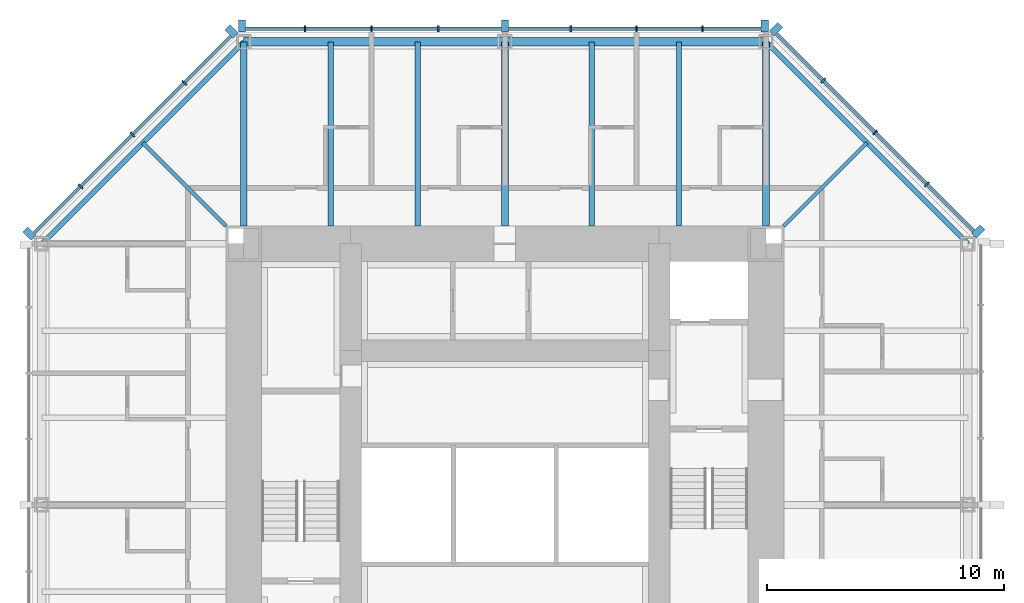
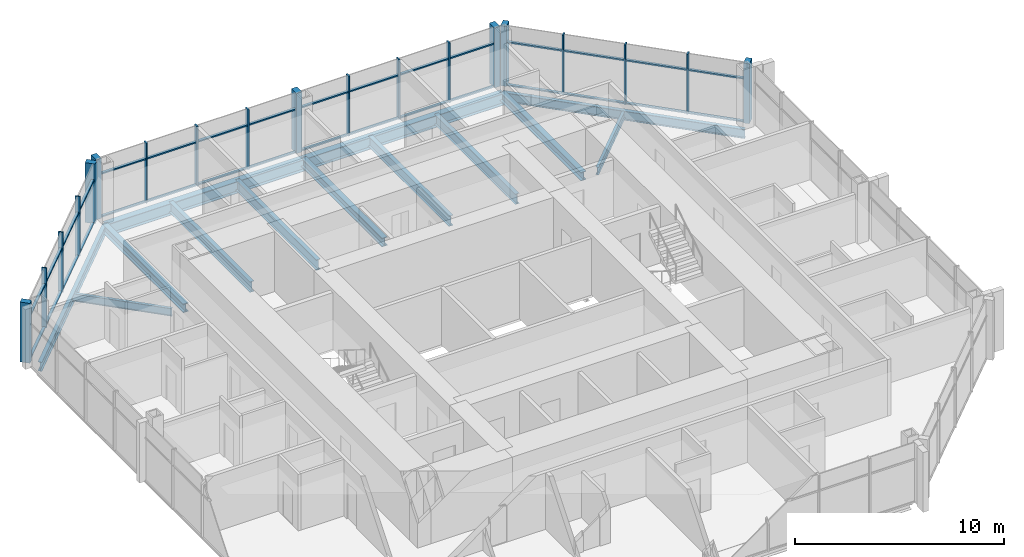
# One storey, part 5 of 12: 51 members, 13 beams, 3 elements without a shape of their own.
"""IFC4 building model written with IfcOpenShell, lengths in metres."""

from ifc_helpers import new_model, si_unit, direction, frame, origin, origin_2d, place, context, subcontext, project, spatial, rectangle, i_section, extrude, material, material_profile, profile_set, type_object, element, aggregate, save


model = new_model("IFC4")

# Units and contexts
model_context = context("Model", 3, precision=1e-05, world=origin(), true_north=direction((0.0, 1.0)))
body_context = subcontext(model_context, "Body", "Model", "MODEL_VIEW")
ifc_project = project(units=[si_unit("LENGTHUNIT", "METRE"), si_unit("AREAUNIT", "SQUARE_METRE"), si_unit("VOLUMEUNIT", "CUBIC_METRE"), si_unit("PLANEANGLEUNIT", "RADIAN"), si_unit("MASSUNIT", "GRAM", prefix="KILO")], contexts=[model_context])

# Site, building, storey
site_placement = place(None, origin())
site = spatial("IfcSite", under=ifc_project, at=site_placement, CompositionType="ELEMENT")
building_placement = place(site_placement, origin())
building = spatial("IfcBuilding", under=site, at=building_placement, Name="Trevanion Tower", CompositionType="ELEMENT")
storey_placement = place(building_placement, frame((0.0, 0.0, 194.199951171875)))
storey = spatial("IfcBuildingStorey", under=building, at=storey_placement, Name="L45", CompositionType="ELEMENT", Elevation=194.199951171875)

# Beams
ifc_material_1 = material(Name="Steel ASTM A992 Grade 50", Category="steel")
ifc_material_profile_1 = material_profile(ifc_material_1, i_section(OverallWidth=0.228271484375, OverallDepth=0.607177734375, WebThickness=0.01123046875, FlangeThickness=0.017333984375, at=origin_2d()), Name="W24X76")
ifc_profile_set_1 = profile_set([ifc_material_profile_1], Name="Steel ASTM A992 Grade 50")
beam_type_1 = type_object("IfcBeamType", Name="B11 W24X76", PredefinedType="BEAM", material=ifc_profile_set_1)
for number, where, z_axis, x_axis, name in (
    (1, (7.333251953125, 11.75, -0.493408203125), (0.0, 1.0, 0.0), (-1.0, 0.0, 0.0), "B11 L45"),
    (2, (3.666748046875, 11.75, -0.493408203125), (0.0, 1.0, 0.0), (-1.0, 0.0, 0.0), "B11 L45"),
    (3, (-3.666748046875, 11.75, -0.493408203125), (0.0, 1.0, 0.0), (-1.0, 0.0, 0.0), "B11 L45"),
    (4, (-7.333251953125, 11.75, -0.493408203125), (0.0, 1.0, 0.0), (-1.0, 0.0, 0.0), "B11 L45"),
):
    element("IfcBeam", number, at=place(storey_placement, frame(where, z_axis=z_axis, x_axis=x_axis)), inside=storey, type_object=beam_type_1, Name=name, PredefinedType="BEAM", context=body_context, shape_type="SweptSolid", body=[
        extrude(i_section(OverallWidth=0.228271484375, OverallDepth=0.607177734375, WebThickness=0.01123046875, FlangeThickness=0.017333984375, at=origin_2d()), origin(), (0.0, 0.0, 1.0), 7.75),
    ])
ifc_material_2 = material(Name="Steel ASTM A992 Grade 50", Category="steel")
ifc_material_profile_2 = material_profile(ifc_material_2, i_section(OverallWidth=0.15234375, OverallDepth=0.449462890625, WebThickness=0.007568359375, FlangeThickness=0.0107421875, at=origin_2d()), Name="W18X35")
ifc_profile_set_2 = profile_set([ifc_material_profile_2], Name="Steel ASTM A992 Grade 50")
beam_type_2 = type_object("IfcBeamType", Name="B12 W18X35", PredefinedType="BEAM", material=ifc_profile_set_2)
for number, where, z_axis, x_axis, name in (
    (5, (11.75, 11.75, -0.414794921875), (0.707106781187, 0.707106781187, 0.0), (-0.707106781187, 0.707106781187, 0.0), "B12 L45"),
    (6, (-11.75, 11.75, -0.414794921875), (-0.707106781187, 0.707106781187, 0.0), (-0.707106781187, -0.707106781187, 0.0), "B12 L45"),
):
    element("IfcBeam", number, at=place(storey_placement, frame(where, z_axis=z_axis, x_axis=x_axis)), inside=storey, type_object=beam_type_2, Name=name, PredefinedType="BEAM", context=body_context, shape_type="SweptSolid", body=[
        extrude(i_section(OverallWidth=0.15234375, OverallDepth=0.449462890625, WebThickness=0.007568359375, FlangeThickness=0.0107421875, at=origin_2d()), origin(), (0.0, 0.0, 1.0), 4.94970703125),
    ])

# Curtain wall, members
ifc_material_3 = material(Name="Aluminium and glass", Category="aluminium")
curtain_wall_type = type_object("IfcCurtainWallType", Name="CW3 curtain wall", PredefinedType="USERDEFINED", material=ifc_material_3)
curtain_wall_1_placement = place(storey_placement, origin())
curtain_wall_1 = element("IfcCurtainWall", 7, at=curtain_wall_1_placement, inside=storey, type_object=curtain_wall_type, Name="CW3 L45 1", ObjectType="UNITISED CURTAIN WALL", PredefinedType="USERDEFINED")
ifc_material_4 = material(Name="Aluminium extrusion, anodised bronze", Category="aluminium")
ifc_material_profile_3 = material_profile(ifc_material_4, rectangle(XDim=0.074951171875, YDim=0.25, at=origin_2d()), Name="CW3 mullion")
ifc_profile_set_3 = profile_set([ifc_material_profile_3], Name="Aluminium extrusion, anodised bronze")
member_type_1 = type_object("IfcMemberType", Name="CW3 mullion", PredefinedType="MULLION", material=ifc_profile_set_3)
member_1_placement = place(storey_placement, frame((17.775390625, 13.502197265625, -0.18994140625), z_axis=(0.0, 0.0, 1.0), x_axis=(-0.707106781187, 0.707106781187, 0.0)))
member_1 = element("IfcMember", 8, at=member_1_placement, type_object=member_type_1, Name="CW3 mullion 2", PredefinedType="MULLION", context=body_context, shape_type="SweptSolid", body=[
    extrude(rectangle(XDim=0.074951171875, YDim=0.25, at=origin_2d()), origin(), (0.0, 0.0, 1.0), 3.5),
])
member_2_placement = place(storey_placement, frame((15.593017578125, 15.684814453125, -0.18994140625), z_axis=(0.0, 0.0, 1.0), x_axis=(-0.707106781187, 0.707106781187, 0.0)))
member_2 = element("IfcMember", 9, at=member_2_placement, type_object=member_type_1, Name="CW3 mullion 3", PredefinedType="MULLION", context=body_context, shape_type="SweptSolid", body=[
    extrude(rectangle(XDim=0.074951171875, YDim=0.25, at=origin_2d()), origin(), (0.0, 0.0, 1.0), 3.5),
])
member_3_placement = place(storey_placement, frame((13.410400390625, 17.867431640625, -0.18994140625), z_axis=(0.0, 0.0, 1.0), x_axis=(-0.707106781187, 0.707106781187, 0.0)))
member_3 = element("IfcMember", 10, at=member_3_placement, type_object=member_type_1, Name="CW3 mullion 4", PredefinedType="MULLION", context=body_context, shape_type="SweptSolid", body=[
    extrude(rectangle(XDim=0.074951171875, YDim=0.25, at=origin_2d()), origin(), (0.0, 0.0, 1.0), 3.5),
])

curtain_wall_2_placement = place(storey_placement, origin())
curtain_wall_2 = element("IfcCurtainWall", 11, at=curtain_wall_2_placement, inside=storey, type_object=curtain_wall_type, Name="CW3 L45 2", ObjectType="UNITISED CURTAIN WALL", PredefinedType="USERDEFINED")
member_4_placement = place(storey_placement, frame((8.323486328125, 20.050048828125, -0.18994140625), z_axis=(0.0, 0.0, 1.0), x_axis=(-1.0, 0.0, 0.0)))
member_4 = element("IfcMember", 12, at=member_4_placement, type_object=member_type_1, Name="CW3 mullion 2", PredefinedType="MULLION", context=body_context, shape_type="SweptSolid", body=[
    extrude(rectangle(XDim=0.074951171875, YDim=0.25, at=origin_2d()), origin(), (0.0, 0.0, 1.0), 3.5),
])
member_5_placement = place(storey_placement, frame((5.548828125, 20.050048828125, -0.18994140625), z_axis=(0.0, 0.0, 1.0), x_axis=(-1.0, 0.0, 0.0)))
member_5 = element("IfcMember", 13, at=member_5_placement, type_object=member_type_1, Name="CW3 mullion 3", PredefinedType="MULLION", context=body_context, shape_type="SweptSolid", body=[
    extrude(rectangle(XDim=0.074951171875, YDim=0.25, at=origin_2d()), origin(), (0.0, 0.0, 1.0), 3.5),
])
member_6_placement = place(storey_placement, frame((2.7744140625, 20.050048828125, -0.18994140625), z_axis=(0.0, 0.0, 1.0), x_axis=(-1.0, 0.0, 0.0)))
member_6 = element("IfcMember", 14, at=member_6_placement, type_object=member_type_1, Name="CW3 mullion 4", PredefinedType="MULLION", context=body_context, shape_type="SweptSolid", body=[
    extrude(rectangle(XDim=0.074951171875, YDim=0.25, at=origin_2d()), origin(), (0.0, 0.0, 1.0), 3.5),
])
member_7_placement = place(storey_placement, frame((-2.806884765625, 20.050048828125, -0.18994140625), z_axis=(0.0, 0.0, 1.0), x_axis=(-1.0, 0.0, 0.0)))
member_7 = element("IfcMember", 15, at=member_7_placement, type_object=member_type_1, Name="CW3 mullion 6", PredefinedType="MULLION", context=body_context, shape_type="SweptSolid", body=[
    extrude(rectangle(XDim=0.074951171875, YDim=0.25, at=origin_2d()), origin(), (0.0, 0.0, 1.0), 3.5),
])
member_8_placement = place(storey_placement, frame((-5.614013671875, 20.050048828125, -0.18994140625), z_axis=(0.0, 0.0, 1.0), x_axis=(-1.0, 0.0, 0.0)))
member_8 = element("IfcMember", 16, at=member_8_placement, type_object=member_type_1, Name="CW3 mullion 7", PredefinedType="MULLION", context=body_context, shape_type="SweptSolid", body=[
    extrude(rectangle(XDim=0.074951171875, YDim=0.25, at=origin_2d()), origin(), (0.0, 0.0, 1.0), 3.5),
])
member_9_placement = place(storey_placement, frame((-8.4208984375, 20.050048828125, -0.18994140625), z_axis=(0.0, 0.0, 1.0), x_axis=(-1.0, 0.0, 0.0)))
member_9 = element("IfcMember", 17, at=member_9_placement, type_object=member_type_1, Name="CW3 mullion 8", PredefinedType="MULLION", context=body_context, shape_type="SweptSolid", body=[
    extrude(rectangle(XDim=0.074951171875, YDim=0.25, at=origin_2d()), origin(), (0.0, 0.0, 1.0), 3.5),
])

curtain_wall_3_placement = place(storey_placement, origin())
curtain_wall_3 = element("IfcCurtainWall", 18, at=curtain_wall_3_placement, inside=storey, type_object=curtain_wall_type, Name="CW3 L45 3", ObjectType="UNITISED CURTAIN WALL", PredefinedType="USERDEFINED")
member_10_placement = place(storey_placement, frame((-13.502197265625, 17.775390625, -0.18994140625), z_axis=(0.0, 0.0, 1.0), x_axis=(-0.707106781187, -0.707106781187, 0.0)))
member_10 = element("IfcMember", 19, at=member_10_placement, type_object=member_type_1, Name="CW3 mullion 2", PredefinedType="MULLION", context=body_context, shape_type="SweptSolid", body=[
    extrude(rectangle(XDim=0.074951171875, YDim=0.25, at=origin_2d()), origin(), (0.0, 0.0, 1.0), 3.5),
])
member_11_placement = place(storey_placement, frame((-15.684814453125, 15.593017578125, -0.18994140625), z_axis=(0.0, 0.0, 1.0), x_axis=(-0.707106781187, -0.707106781187, 0.0)))
member_11 = element("IfcMember", 20, at=member_11_placement, type_object=member_type_1, Name="CW3 mullion 3", PredefinedType="MULLION", context=body_context, shape_type="SweptSolid", body=[
    extrude(rectangle(XDim=0.074951171875, YDim=0.25, at=origin_2d()), origin(), (0.0, 0.0, 1.0), 3.5),
])
member_12_placement = place(storey_placement, frame((-17.867431640625, 13.410400390625, -0.18994140625), z_axis=(0.0, 0.0, 1.0), x_axis=(-0.707106781187, -0.707106781187, 0.0)))
member_12 = element("IfcMember", 21, at=member_12_placement, type_object=member_type_1, Name="CW3 mullion 4", PredefinedType="MULLION", context=body_context, shape_type="SweptSolid", body=[
    extrude(rectangle(XDim=0.074951171875, YDim=0.25, at=origin_2d()), origin(), (0.0, 0.0, 1.0), 3.5),
])

# Member
ifc_material_5 = material(Name="Aluminium extrusion, anodised bronze", Category="aluminium")
ifc_material_profile_4 = material_profile(ifc_material_5, rectangle(XDim=0.300048828125, YDim=0.5, at=origin_2d()), Name="CW3 pier mullion")
ifc_profile_set_4 = profile_set([ifc_material_profile_4], Name="Aluminium extrusion, anodised bronze")
member_type_2 = type_object("IfcMemberType", Name="CW3 pier mullion", PredefinedType="MULLION", material=ifc_profile_set_4)
member_13_placement = place(storey_placement, frame((19.9404296875, 11.51416015625, -0.18994140625), z_axis=(0.0, 0.0, 1.0), x_axis=(-0.707106781187, 0.707106781187, 0.0)))
member_13 = element("IfcMember", 22, at=member_13_placement, type_object=member_type_2, Name="CW3 pier mullion 1", PredefinedType="MULLION", context=body_context, shape_type="SweptSolid", body=[
    extrude(rectangle(XDim=0.300048828125, YDim=0.5, at=origin_2d()), origin(), (0.0, 0.0, 1.0), 3.5),
])

member_14_placement = place(storey_placement, frame((11.42236328125, 20.0322265625, -0.18994140625), z_axis=(0.0, 0.0, 1.0), x_axis=(-0.707106781187, 0.707106781187, 0.0)))
member_14 = element("IfcMember", 23, at=member_14_placement, type_object=member_type_2, Name="CW3 pier mullion 5", PredefinedType="MULLION", context=body_context, shape_type="SweptSolid", body=[
    extrude(rectangle(XDim=0.300048828125, YDim=0.5, at=origin_2d()), origin(), (0.0, 0.0, 1.0), 3.5),
])

member_15_placement = place(storey_placement, frame((10.94775390625, 20.175048828125, -0.18994140625), z_axis=(0.0, 0.0, 1.0), x_axis=(-1.0, 0.0, 0.0)))
member_15 = element("IfcMember", 24, at=member_15_placement, type_object=member_type_2, Name="CW3 pier mullion 1", PredefinedType="MULLION", context=body_context, shape_type="SweptSolid", body=[
    extrude(rectangle(XDim=0.300048828125, YDim=0.5, at=origin_2d()), origin(), (0.0, 0.0, 1.0), 3.5),
])

member_16_placement = place(storey_placement, frame((0.0, 20.175048828125, -0.18994140625), z_axis=(0.0, 0.0, 1.0), x_axis=(-1.0, 0.0, 0.0)))
member_16 = element("IfcMember", 25, at=member_16_placement, type_object=member_type_2, Name="CW3 pier mullion 5", PredefinedType="MULLION", context=body_context, shape_type="SweptSolid", body=[
    extrude(rectangle(XDim=0.300048828125, YDim=0.5, at=origin_2d()), origin(), (0.0, 0.0, 1.0), 3.5),
])

member_17_placement = place(storey_placement, frame((-11.077880859375, 20.175048828125, -0.18994140625), z_axis=(0.0, 0.0, 1.0), x_axis=(-1.0, 0.0, 0.0)))
member_17 = element("IfcMember", 26, at=member_17_placement, type_object=member_type_2, Name="CW3 pier mullion 9", PredefinedType="MULLION", context=body_context, shape_type="SweptSolid", body=[
    extrude(rectangle(XDim=0.300048828125, YDim=0.5, at=origin_2d()), origin(), (0.0, 0.0, 1.0), 3.5),
])

member_18_placement = place(storey_placement, frame((-11.51416015625, 19.9404296875, -0.18994140625), z_axis=(0.0, 0.0, 1.0), x_axis=(-0.707106781187, -0.707106781187, 0.0)))
member_18 = element("IfcMember", 27, at=member_18_placement, type_object=member_type_2, Name="CW3 pier mullion 1", PredefinedType="MULLION", context=body_context, shape_type="SweptSolid", body=[
    extrude(rectangle(XDim=0.300048828125, YDim=0.5, at=origin_2d()), origin(), (0.0, 0.0, 1.0), 3.5),
])

member_19_placement = place(storey_placement, frame((-20.0322265625, 11.42236328125, -0.18994140625), z_axis=(0.0, 0.0, 1.0), x_axis=(-0.707106781187, -0.707106781187, 0.0)))
member_19 = element("IfcMember", 28, at=member_19_placement, type_object=member_type_2, Name="CW3 pier mullion 5", PredefinedType="MULLION", context=body_context, shape_type="SweptSolid", body=[
    extrude(rectangle(XDim=0.300048828125, YDim=0.5, at=origin_2d()), origin(), (0.0, 0.0, 1.0), 3.5),
])

ifc_material_6 = material(Name="Aluminium extrusion, anodised bronze", Category="aluminium")
ifc_material_profile_5 = material_profile(ifc_material_6, rectangle(XDim=0.14990234375, YDim=0.074951171875, at=origin_2d()), Name="CW3 transom")
ifc_profile_set_5 = profile_set([ifc_material_profile_5], Name="Aluminium extrusion, anodised bronze")
member_type_3 = type_object("IfcMemberType", Name="CW3 transom", PredefinedType="USERDEFINED", material=ifc_profile_set_5)
member_20_placement = place(storey_placement, frame((19.745849609375, 11.531982421875, -0.15234375), z_axis=(-0.707106781187, 0.707106781187, 0.0), x_axis=(-0.707106781187, -0.707106781187, 0.0)))
member_20 = element("IfcMember", 29, at=member_20_placement, type_object=member_type_3, Name="CW3 transom 1.1", ObjectType="TRANSOM", PredefinedType="USERDEFINED", context=body_context, shape_type="SweptSolid", body=[
    extrude(rectangle(XDim=0.14990234375, YDim=0.074951171875, at=origin_2d()), origin(), (0.0, 0.0, 1.0), 2.7490234375),
])

member_21_placement = place(storey_placement, frame((19.745849609375, 11.531982421875, 2.360107421875), z_axis=(-0.707106781187, 0.707106781187, 0.0), x_axis=(-0.707106781187, -0.707106781187, 0.0)))
member_21 = element("IfcMember", 30, at=member_21_placement, type_object=member_type_3, Name="CW3 transom 1.2", ObjectType="TRANSOM", PredefinedType="USERDEFINED", context=body_context, shape_type="SweptSolid", body=[
    extrude(rectangle(XDim=0.14990234375, YDim=0.074951171875, at=origin_2d()), origin(), (0.0, 0.0, 1.0), 2.7490234375),
])

member_22_placement = place(storey_placement, frame((17.7490234375, 13.52880859375, -0.15234375), z_axis=(-0.707106781187, 0.707106781187, 0.0), x_axis=(-0.707106781187, -0.707106781187, 0.0)))
member_22 = element("IfcMember", 31, at=member_22_placement, type_object=member_type_3, Name="CW3 transom 2.1", ObjectType="TRANSOM", PredefinedType="USERDEFINED", context=body_context, shape_type="SweptSolid", body=[
    extrude(rectangle(XDim=0.14990234375, YDim=0.074951171875, at=origin_2d()), origin(), (0.0, 0.0, 1.0), 3.01171875),
])

member_23_placement = place(storey_placement, frame((17.7490234375, 13.52880859375, 2.360107421875), z_axis=(-0.707106781187, 0.707106781187, 0.0), x_axis=(-0.707106781187, -0.707106781187, 0.0)))
member_23 = element("IfcMember", 32, at=member_23_placement, type_object=member_type_3, Name="CW3 transom 2.2", ObjectType="TRANSOM", PredefinedType="USERDEFINED", context=body_context, shape_type="SweptSolid", body=[
    extrude(rectangle(XDim=0.14990234375, YDim=0.074951171875, at=origin_2d()), origin(), (0.0, 0.0, 1.0), 3.01171875),
])

member_24_placement = place(storey_placement, frame((15.56640625, 15.71142578125, -0.15234375), z_axis=(-0.707106781187, 0.707106781187, 0.0), x_axis=(-0.707106781187, -0.707106781187, 0.0)))
member_24 = element("IfcMember", 33, at=member_24_placement, type_object=member_type_3, Name="CW3 transom 3.1", ObjectType="TRANSOM", PredefinedType="USERDEFINED", context=body_context, shape_type="SweptSolid", body=[
    extrude(rectangle(XDim=0.14990234375, YDim=0.074951171875, at=origin_2d()), origin(), (0.0, 0.0, 1.0), 3.011474609375),
])

member_25_placement = place(storey_placement, frame((15.56640625, 15.71142578125, 2.360107421875), z_axis=(-0.707106781187, 0.707106781187, 0.0), x_axis=(-0.707106781187, -0.707106781187, 0.0)))
member_25 = element("IfcMember", 34, at=member_25_placement, type_object=member_type_3, Name="CW3 transom 3.2", ObjectType="TRANSOM", PredefinedType="USERDEFINED", context=body_context, shape_type="SweptSolid", body=[
    extrude(rectangle(XDim=0.14990234375, YDim=0.074951171875, at=origin_2d()), origin(), (0.0, 0.0, 1.0), 3.011474609375),
])

member_26_placement = place(storey_placement, frame((13.3837890625, 17.89404296875, -0.15234375), z_axis=(-0.707106781187, 0.707106781187, 0.0), x_axis=(-0.707106781187, -0.707106781187, 0.0)))
member_26 = element("IfcMember", 35, at=member_26_placement, type_object=member_type_3, Name="CW3 transom 4.1", ObjectType="TRANSOM", PredefinedType="USERDEFINED", context=body_context, shape_type="SweptSolid", body=[
    extrude(rectangle(XDim=0.14990234375, YDim=0.074951171875, at=origin_2d()), origin(), (0.0, 0.0, 1.0), 2.7490234375),
])

member_27_placement = place(storey_placement, frame((13.3837890625, 17.89404296875, 2.360107421875), z_axis=(-0.707106781187, 0.707106781187, 0.0), x_axis=(-0.707106781187, -0.707106781187, 0.0)))
member_27 = element("IfcMember", 36, at=member_27_placement, type_object=member_type_3, Name="CW3 transom 4.2", ObjectType="TRANSOM", PredefinedType="USERDEFINED", context=body_context, shape_type="SweptSolid", body=[
    extrude(rectangle(XDim=0.14990234375, YDim=0.074951171875, at=origin_2d()), origin(), (0.0, 0.0, 1.0), 2.7490234375),
])

aggregate(curtain_wall_1, [member_13, member_1, member_2, member_3, member_14, member_20, member_21, member_22, member_23, member_24, member_25, member_26, member_27])

member_28_placement = place(storey_placement, frame((10.7978515625, 20.050048828125, -0.15234375), z_axis=(-1.0, 0.0, 0.0), x_axis=(0.0, -1.0, 0.0)))
member_28 = element("IfcMember", 37, at=member_28_placement, type_object=member_type_3, Name="CW3 transom 1.1", ObjectType="TRANSOM", PredefinedType="USERDEFINED", context=body_context, shape_type="SweptSolid", body=[
    extrude(rectangle(XDim=0.14990234375, YDim=0.074951171875, at=origin_2d()), origin(), (0.0, 0.0, 1.0), 2.43701171875),
])

member_29_placement = place(storey_placement, frame((10.7978515625, 20.050048828125, 2.360107421875), z_axis=(-1.0, 0.0, 0.0), x_axis=(0.0, -1.0, 0.0)))
member_29 = element("IfcMember", 38, at=member_29_placement, type_object=member_type_3, Name="CW3 transom 1.2", ObjectType="TRANSOM", PredefinedType="USERDEFINED", context=body_context, shape_type="SweptSolid", body=[
    extrude(rectangle(XDim=0.14990234375, YDim=0.074951171875, at=origin_2d()), origin(), (0.0, 0.0, 1.0), 2.43701171875),
])

member_30_placement = place(storey_placement, frame((8.285888671875, 20.050048828125, -0.15234375), z_axis=(-1.0, 0.0, 0.0), x_axis=(0.0, -1.0, 0.0)))
member_30 = element("IfcMember", 39, at=member_30_placement, type_object=member_type_3, Name="CW3 transom 2.1", ObjectType="TRANSOM", PredefinedType="USERDEFINED", context=body_context, shape_type="SweptSolid", body=[
    extrude(rectangle(XDim=0.14990234375, YDim=0.074951171875, at=origin_2d()), origin(), (0.0, 0.0, 1.0), 2.699462890625),
])

member_31_placement = place(storey_placement, frame((8.285888671875, 20.050048828125, 2.360107421875), z_axis=(-1.0, 0.0, 0.0), x_axis=(0.0, -1.0, 0.0)))
member_31 = element("IfcMember", 40, at=member_31_placement, type_object=member_type_3, Name="CW3 transom 2.2", ObjectType="TRANSOM", PredefinedType="USERDEFINED", context=body_context, shape_type="SweptSolid", body=[
    extrude(rectangle(XDim=0.14990234375, YDim=0.074951171875, at=origin_2d()), origin(), (0.0, 0.0, 1.0), 2.699462890625),
])

member_32_placement = place(storey_placement, frame((5.511474609375, 20.050048828125, -0.15234375), z_axis=(-1.0, 0.0, 0.0), x_axis=(0.0, -1.0, 0.0)))
member_32 = element("IfcMember", 41, at=member_32_placement, type_object=member_type_3, Name="CW3 transom 3.1", ObjectType="TRANSOM", PredefinedType="USERDEFINED", context=body_context, shape_type="SweptSolid", body=[
    extrude(rectangle(XDim=0.14990234375, YDim=0.074951171875, at=origin_2d()), origin(), (0.0, 0.0, 1.0), 2.699462890625),
])

member_33_placement = place(storey_placement, frame((5.511474609375, 20.050048828125, 2.360107421875), z_axis=(-1.0, 0.0, 0.0), x_axis=(0.0, -1.0, 0.0)))
member_33 = element("IfcMember", 42, at=member_33_placement, type_object=member_type_3, Name="CW3 transom 3.2", ObjectType="TRANSOM", PredefinedType="USERDEFINED", context=body_context, shape_type="SweptSolid", body=[
    extrude(rectangle(XDim=0.14990234375, YDim=0.074951171875, at=origin_2d()), origin(), (0.0, 0.0, 1.0), 2.699462890625),
])

member_34_placement = place(storey_placement, frame((2.737060546875, 20.050048828125, -0.15234375), z_axis=(-1.0, 0.0, 0.0), x_axis=(0.0, -1.0, 0.0)))
member_34 = element("IfcMember", 43, at=member_34_placement, type_object=member_type_3, Name="CW3 transom 4.1", ObjectType="TRANSOM", PredefinedType="USERDEFINED", context=body_context, shape_type="SweptSolid", body=[
    extrude(rectangle(XDim=0.14990234375, YDim=0.074951171875, at=origin_2d()), origin(), (0.0, 0.0, 1.0), 2.587158203125),
])

member_35_placement = place(storey_placement, frame((2.737060546875, 20.050048828125, 2.360107421875), z_axis=(-1.0, 0.0, 0.0), x_axis=(0.0, -1.0, 0.0)))
member_35 = element("IfcMember", 44, at=member_35_placement, type_object=member_type_3, Name="CW3 transom 4.2", ObjectType="TRANSOM", PredefinedType="USERDEFINED", context=body_context, shape_type="SweptSolid", body=[
    extrude(rectangle(XDim=0.14990234375, YDim=0.074951171875, at=origin_2d()), origin(), (0.0, 0.0, 1.0), 2.587158203125),
])

member_36_placement = place(storey_placement, frame((-0.14990234375, 20.050048828125, -0.15234375), z_axis=(-1.0, 0.0, 0.0), x_axis=(0.0, -1.0, 0.0)))
member_36 = element("IfcMember", 45, at=member_36_placement, type_object=member_type_3, Name="CW3 transom 5.1", ObjectType="TRANSOM", PredefinedType="USERDEFINED", context=body_context, shape_type="SweptSolid", body=[
    extrude(rectangle(XDim=0.14990234375, YDim=0.074951171875, at=origin_2d()), origin(), (0.0, 0.0, 1.0), 2.619384765625),
])

member_37_placement = place(storey_placement, frame((-0.14990234375, 20.050048828125, 2.360107421875), z_axis=(-1.0, 0.0, 0.0), x_axis=(0.0, -1.0, 0.0)))
member_37 = element("IfcMember", 46, at=member_37_placement, type_object=member_type_3, Name="CW3 transom 5.2", ObjectType="TRANSOM", PredefinedType="USERDEFINED", context=body_context, shape_type="SweptSolid", body=[
    extrude(rectangle(XDim=0.14990234375, YDim=0.074951171875, at=origin_2d()), origin(), (0.0, 0.0, 1.0), 2.619384765625),
])

member_38_placement = place(storey_placement, frame((-2.844482421875, 20.050048828125, -0.15234375), z_axis=(-1.0, 0.0, 0.0), x_axis=(0.0, -1.0, 0.0)))
member_38 = element("IfcMember", 47, at=member_38_placement, type_object=member_type_3, Name="CW3 transom 6.1", ObjectType="TRANSOM", PredefinedType="USERDEFINED", context=body_context, shape_type="SweptSolid", body=[
    extrude(rectangle(XDim=0.14990234375, YDim=0.074951171875, at=origin_2d()), origin(), (0.0, 0.0, 1.0), 2.73193359375),
])

member_39_placement = place(storey_placement, frame((-2.844482421875, 20.050048828125, 2.360107421875), z_axis=(-1.0, 0.0, 0.0), x_axis=(0.0, -1.0, 0.0)))
member_39 = element("IfcMember", 48, at=member_39_placement, type_object=member_type_3, Name="CW3 transom 6.2", ObjectType="TRANSOM", PredefinedType="USERDEFINED", context=body_context, shape_type="SweptSolid", body=[
    extrude(rectangle(XDim=0.14990234375, YDim=0.074951171875, at=origin_2d()), origin(), (0.0, 0.0, 1.0), 2.73193359375),
])

member_40_placement = place(storey_placement, frame((-5.6513671875, 20.050048828125, -0.15234375), z_axis=(-1.0, 0.0, 0.0), x_axis=(0.0, -1.0, 0.0)))
member_40 = element("IfcMember", 49, at=member_40_placement, type_object=member_type_3, Name="CW3 transom 7.1", ObjectType="TRANSOM", PredefinedType="USERDEFINED", context=body_context, shape_type="SweptSolid", body=[
    extrude(rectangle(XDim=0.14990234375, YDim=0.074951171875, at=origin_2d()), origin(), (0.0, 0.0, 1.0), 2.73193359375),
])

member_41_placement = place(storey_placement, frame((-5.6513671875, 20.050048828125, 2.360107421875), z_axis=(-1.0, 0.0, 0.0), x_axis=(0.0, -1.0, 0.0)))
member_41 = element("IfcMember", 50, at=member_41_placement, type_object=member_type_3, Name="CW3 transom 7.2", ObjectType="TRANSOM", PredefinedType="USERDEFINED", context=body_context, shape_type="SweptSolid", body=[
    extrude(rectangle(XDim=0.14990234375, YDim=0.074951171875, at=origin_2d()), origin(), (0.0, 0.0, 1.0), 2.73193359375),
])

member_42_placement = place(storey_placement, frame((-8.45849609375, 20.050048828125, -0.15234375), z_axis=(-1.0, 0.0, 0.0), x_axis=(0.0, -1.0, 0.0)))
member_42 = element("IfcMember", 51, at=member_42_placement, type_object=member_type_3, Name="CW3 transom 8.1", ObjectType="TRANSOM", PredefinedType="USERDEFINED", context=body_context, shape_type="SweptSolid", body=[
    extrude(rectangle(XDim=0.14990234375, YDim=0.074951171875, at=origin_2d()), origin(), (0.0, 0.0, 1.0), 2.46923828125),
])

member_43_placement = place(storey_placement, frame((-8.45849609375, 20.050048828125, 2.360107421875), z_axis=(-1.0, 0.0, 0.0), x_axis=(0.0, -1.0, 0.0)))
member_43 = element("IfcMember", 52, at=member_43_placement, type_object=member_type_3, Name="CW3 transom 8.2", ObjectType="TRANSOM", PredefinedType="USERDEFINED", context=body_context, shape_type="SweptSolid", body=[
    extrude(rectangle(XDim=0.14990234375, YDim=0.074951171875, at=origin_2d()), origin(), (0.0, 0.0, 1.0), 2.46923828125),
])

aggregate(curtain_wall_2, [member_15, member_4, member_5, member_6, member_16, member_7, member_8, member_9, member_17, member_28, member_29, member_30, member_31, member_32, member_33, member_34, member_35, member_36, member_37, member_38, member_39, member_40, member_41, member_42, member_43])

member_44_placement = place(storey_placement, frame((-11.531982421875, 19.745849609375, -0.15234375), z_axis=(-0.707106781187, -0.707106781187, 0.0), x_axis=(0.707106781187, -0.707106781187, 0.0)))
member_44 = element("IfcMember", 53, at=member_44_placement, type_object=member_type_3, Name="CW3 transom 1.1", ObjectType="TRANSOM", PredefinedType="USERDEFINED", context=body_context, shape_type="SweptSolid", body=[
    extrude(rectangle(XDim=0.14990234375, YDim=0.074951171875, at=origin_2d()), origin(), (0.0, 0.0, 1.0), 2.7490234375),
])

member_45_placement = place(storey_placement, frame((-11.531982421875, 19.745849609375, 2.360107421875), z_axis=(-0.707106781187, -0.707106781187, 0.0), x_axis=(0.707106781187, -0.707106781187, 0.0)))
member_45 = element("IfcMember", 54, at=member_45_placement, type_object=member_type_3, Name="CW3 transom 1.2", ObjectType="TRANSOM", PredefinedType="USERDEFINED", context=body_context, shape_type="SweptSolid", body=[
    extrude(rectangle(XDim=0.14990234375, YDim=0.074951171875, at=origin_2d()), origin(), (0.0, 0.0, 1.0), 2.7490234375),
])

member_46_placement = place(storey_placement, frame((-13.52880859375, 17.7490234375, -0.15234375), z_axis=(-0.707106781187, -0.707106781187, 0.0), x_axis=(0.707106781187, -0.707106781187, 0.0)))
member_46 = element("IfcMember", 55, at=member_46_placement, type_object=member_type_3, Name="CW3 transom 2.1", ObjectType="TRANSOM", PredefinedType="USERDEFINED", context=body_context, shape_type="SweptSolid", body=[
    extrude(rectangle(XDim=0.14990234375, YDim=0.074951171875, at=origin_2d()), origin(), (0.0, 0.0, 1.0), 3.01171875),
])

member_47_placement = place(storey_placement, frame((-13.52880859375, 17.7490234375, 2.360107421875), z_axis=(-0.707106781187, -0.707106781187, 0.0), x_axis=(0.707106781187, -0.707106781187, 0.0)))
member_47 = element("IfcMember", 56, at=member_47_placement, type_object=member_type_3, Name="CW3 transom 2.2", ObjectType="TRANSOM", PredefinedType="USERDEFINED", context=body_context, shape_type="SweptSolid", body=[
    extrude(rectangle(XDim=0.14990234375, YDim=0.074951171875, at=origin_2d()), origin(), (0.0, 0.0, 1.0), 3.01171875),
])

member_48_placement = place(storey_placement, frame((-15.71142578125, 15.56640625, -0.15234375), z_axis=(-0.707106781187, -0.707106781187, 0.0), x_axis=(0.707106781187, -0.707106781187, 0.0)))
member_48 = element("IfcMember", 57, at=member_48_placement, type_object=member_type_3, Name="CW3 transom 3.1", ObjectType="TRANSOM", PredefinedType="USERDEFINED", context=body_context, shape_type="SweptSolid", body=[
    extrude(rectangle(XDim=0.14990234375, YDim=0.074951171875, at=origin_2d()), origin(), (0.0, 0.0, 1.0), 3.011474609375),
])

member_49_placement = place(storey_placement, frame((-15.71142578125, 15.56640625, 2.360107421875), z_axis=(-0.707106781187, -0.707106781187, 0.0), x_axis=(0.707106781187, -0.707106781187, 0.0)))
member_49 = element("IfcMember", 58, at=member_49_placement, type_object=member_type_3, Name="CW3 transom 3.2", ObjectType="TRANSOM", PredefinedType="USERDEFINED", context=body_context, shape_type="SweptSolid", body=[
    extrude(rectangle(XDim=0.14990234375, YDim=0.074951171875, at=origin_2d()), origin(), (0.0, 0.0, 1.0), 3.011474609375),
])

member_50_placement = place(storey_placement, frame((-17.89404296875, 13.3837890625, -0.15234375), z_axis=(-0.707106781187, -0.707106781187, 0.0), x_axis=(0.707106781187, -0.707106781187, 0.0)))
member_50 = element("IfcMember", 59, at=member_50_placement, type_object=member_type_3, Name="CW3 transom 4.1", ObjectType="TRANSOM", PredefinedType="USERDEFINED", context=body_context, shape_type="SweptSolid", body=[
    extrude(rectangle(XDim=0.14990234375, YDim=0.074951171875, at=origin_2d()), origin(), (0.0, 0.0, 1.0), 2.7490234375),
])

member_51_placement = place(storey_placement, frame((-17.89404296875, 13.3837890625, 2.360107421875), z_axis=(-0.707106781187, -0.707106781187, 0.0), x_axis=(0.707106781187, -0.707106781187, 0.0)))
member_51 = element("IfcMember", 60, at=member_51_placement, type_object=member_type_3, Name="CW3 transom 4.2", ObjectType="TRANSOM", PredefinedType="USERDEFINED", context=body_context, shape_type="SweptSolid", body=[
    extrude(rectangle(XDim=0.14990234375, YDim=0.074951171875, at=origin_2d()), origin(), (0.0, 0.0, 1.0), 2.7490234375),
])

aggregate(curtain_wall_3, [member_18, member_10, member_11, member_12, member_19, member_44, member_45, member_46, member_47, member_48, member_49, member_50, member_51])

# Beams
ifc_material_7 = material(Name="Steel ASTM A992 Grade 50", Category="steel")
ifc_material_profile_6 = material_profile(ifc_material_7, i_section(OverallWidth=0.28955078125, OverallDepth=0.508056640625, WebThickness=0.022705078125, FlangeThickness=0.040283203125, at=origin_2d()), Name="W18X175")
ifc_profile_set_6 = profile_set([ifc_material_profile_6], Name="Steel ASTM A992 Grade 50")
beam_type_3 = type_object("IfcBeamType", Name="G6 W18X175", PredefinedType="BEAM", material=ifc_profile_set_6)
for number, where, z_axis, x_axis, name in (
    (61, (11.0, 11.75, -0.44384765625), (0.0, 1.0, 0.0), (-1.0, 0.0, 0.0), "G6 L45"),
    (62, (0.0, 11.75, -0.44384765625), (0.0, 1.0, 0.0), (-1.0, 0.0, 0.0), "G6 L45"),
    (63, (-11.0, 11.75, -0.44384765625), (0.0, 1.0, 0.0), (-1.0, 0.0, 0.0), "G6 L45"),
):
    element("IfcBeam", number, at=place(storey_placement, frame(where, z_axis=z_axis, x_axis=x_axis)), inside=storey, type_object=beam_type_3, Name=name, PredefinedType="BEAM", context=body_context, shape_type="SweptSolid", body=[
        extrude(i_section(OverallWidth=0.28955078125, OverallDepth=0.508056640625, WebThickness=0.022705078125, FlangeThickness=0.040283203125, at=origin_2d()), origin(), (0.0, 0.0, 1.0), 7.75),
    ])
ifc_material_8 = material(Name="Steel ASTM A992 Grade 50", Category="steel")
ifc_material_profile_7 = material_profile(ifc_material_8, i_section(OverallWidth=0.355712890625, OverallDepth=0.696044921875, WebThickness=0.015380859375, FlangeThickness=0.024658203125, at=origin_2d()), Name="W27X146")
ifc_profile_set_7 = profile_set([ifc_material_profile_7], Name="Steel ASTM A992 Grade 50")
beam_type_4 = type_object("IfcBeamType", Name="SB8 W27X146", PredefinedType="SPANDREL", material=ifc_profile_set_7)
for number, where, z_axis, x_axis, name in (
    (64, (11.0, 19.5, -0.537841796875), (-1.0, 0.0, 0.0), (0.0, -1.0, 0.0), "SB8 L45"),
    (65, (0.0, 19.5, -0.537841796875), (-1.0, 0.0, 0.0), (0.0, -1.0, 0.0), "SB8 L45"),
):
    element("IfcBeam", number, at=place(storey_placement, frame(where, z_axis=z_axis, x_axis=x_axis)), inside=storey, type_object=beam_type_4, Name=name, PredefinedType="SPANDREL", context=body_context, shape_type="SweptSolid", body=[
        extrude(i_section(OverallWidth=0.355712890625, OverallDepth=0.696044921875, WebThickness=0.015380859375, FlangeThickness=0.024658203125, at=origin_2d()), origin(), (0.0, 0.0, 1.0), 11.0),
    ])
ifc_material_9 = material(Name="Steel ASTM A992 Grade 50", Category="steel")
ifc_material_profile_8 = material_profile(ifc_material_9, i_section(OverallWidth=0.209228515625, OverallDepth=0.533447265625, WebThickness=0.01025390625, FlangeThickness=0.015625, at=origin_2d()), Name="W21X62")
ifc_profile_set_8 = profile_set([ifc_material_profile_8], Name="Steel ASTM A992 Grade 50")
beam_type_5 = type_object("IfcBeamType", Name="SB9 W21X62", PredefinedType="SPANDREL", material=ifc_profile_set_8)
for number, where, z_axis, x_axis, name in (
    (66, (19.5, 11.0, -0.45654296875), (-0.707106781187, 0.707106781187, 0.0), (-0.707106781187, -0.707106781187, 0.0), "SB9 L45"),
    (67, (-11.0, 19.5, -0.45654296875), (-0.707106781187, -0.707106781187, 0.0), (0.707106781187, -0.707106781187, 0.0), "SB9 L45"),
):
    element("IfcBeam", number, at=place(storey_placement, frame(where, z_axis=z_axis, x_axis=x_axis)), inside=storey, type_object=beam_type_5, Name=name, PredefinedType="SPANDREL", context=body_context, shape_type="SweptSolid", body=[
        extrude(i_section(OverallWidth=0.209228515625, OverallDepth=0.533447265625, WebThickness=0.01025390625, FlangeThickness=0.015625, at=origin_2d()), origin(), (0.0, 0.0, 1.0), 12.020751953125),
    ])

save(model, "model.ifc")
